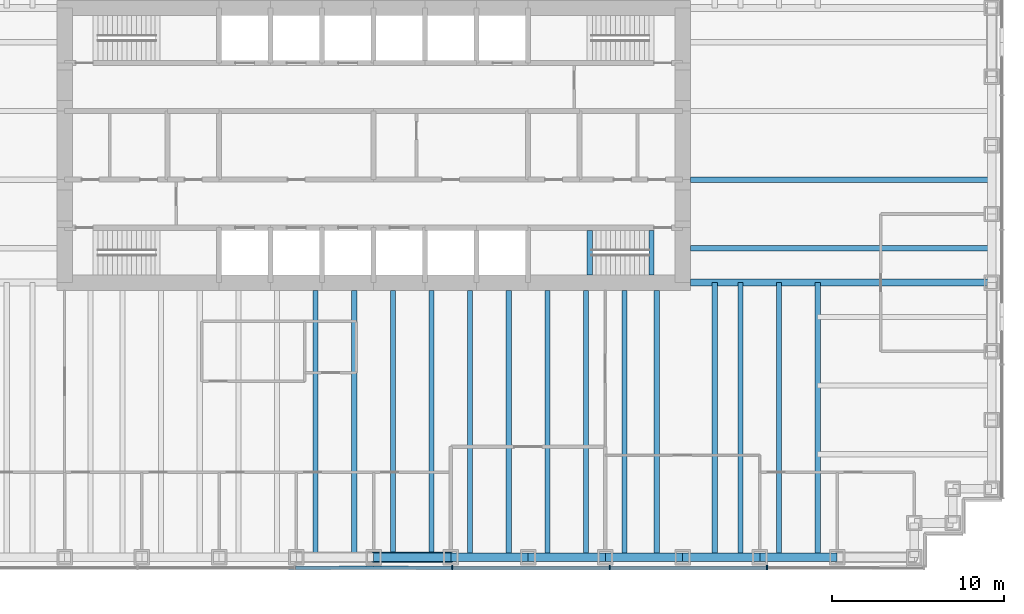
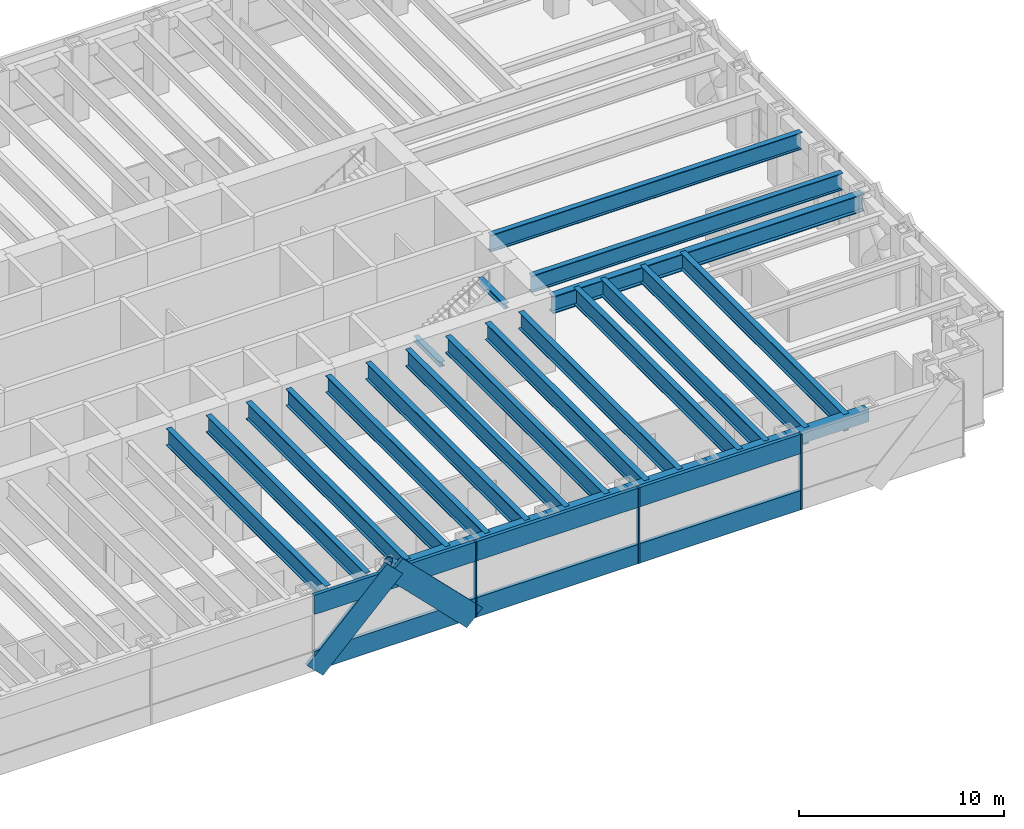
# One storey, part 3 of 13: 25 beams, 12 members, 1 element without a shape of its own.
"""IFC4 building model written with IfcOpenShell, lengths in metres."""

from ifc_helpers import new_model, si_unit, direction, frame, origin, origin_2d, place, context, subcontext, project, spatial, rectangle, hollow_rectangle, hollow_circle, i_section, extrude, material, material_profile, profile_set, type_object, element, aggregate, save


model = new_model("IFC4")

# Units and contexts
model_context = context("Model", 3, precision=1e-05, world=origin(), true_north=direction((0.0, 1.0)))
body_context = subcontext(model_context, "Body", "Model", "MODEL_VIEW")
ifc_project = project(units=[si_unit("LENGTHUNIT", "METRE"), si_unit("AREAUNIT", "SQUARE_METRE"), si_unit("VOLUMEUNIT", "CUBIC_METRE"), si_unit("PLANEANGLEUNIT", "RADIAN"), si_unit("MASSUNIT", "GRAM", prefix="KILO")], contexts=[model_context])

# Site, building, storey
site_placement = place(None, origin())
site = spatial("IfcSite", under=ifc_project, at=site_placement, CompositionType="ELEMENT")
building_placement = place(site_placement, origin())
building = spatial("IfcBuilding", under=site, at=building_placement, Name="Rheinbord Bourse Tower", CompositionType="ELEMENT")
storey_placement = place(building_placement, frame((0.0, 0.0, 90.5)))
storey = spatial("IfcBuildingStorey", under=building, at=storey_placement, Name="L19", CompositionType="ELEMENT", Elevation=90.5)

# Beams
ifc_material_1 = material(Name="Steel S460M", Category="steel")
ifc_material_profile_1 = material_profile(ifc_material_1, hollow_rectangle(XDim=0.5, YDim=0.699951171875, WallThickness=0.0400390625, at=origin_2d()), Name="BOX 700x500x40")
ifc_profile_set_1 = profile_set([ifc_material_profile_1], Name="Steel S460M")
beam_type_1 = type_object("IfcBeamType", Name="BELT CHORD BOX 700x500x40", PredefinedType="SPANDREL", material=ifc_profile_set_1)
for number, where, z_axis, x_axis, name in (
    (1, (36.0, 0.0, 3.89990234375), (1.0, 0.0, 0.0), (0.0, 1.0, 0.0), "Spandrel S-36-S-40.5 under L20"),
    (2, (40.5, 0.0, 3.89990234375), (1.0, 0.0, 0.0), (0.0, 1.0, 0.0), "Spandrel S-40.5-S-45 under L20"),
    (3, (45.0, 0.0, 3.89990234375), (1.0, 0.0, 0.0), (0.0, 1.0, 0.0), "Spandrel S-45-S-49.5 under L20"),
    (4, (49.5, 0.0, 3.89990234375), (1.0, 0.0, 0.0), (0.0, 1.0, 0.0), "Spandrel S-49.5-S-54 under L20"),
    (5, (54.0, 0.0, 3.89990234375), (1.0, 0.0, 0.0), (0.0, 1.0, 0.0), "Spandrel S-54-S-58.5 under L20"),
    (6, (58.5, 0.0, 3.89990234375), (1.0, 0.0, 0.0), (0.0, 1.0, 0.0), "Spandrel S-58.5-S-63 under L20"),
):
    element("IfcBeam", number, at=place(storey_placement, frame(where, z_axis=z_axis, x_axis=x_axis)), inside=storey, type_object=beam_type_1, Name=name, PredefinedType="SPANDREL", context=body_context, shape_type="SweptSolid", body=[
        extrude(hollow_rectangle(XDim=0.5, YDim=0.699951171875, WallThickness=0.0400390625, at=origin_2d()), origin(), (0.0, 0.0, 1.0), 4.5),
    ])

# Curtain wall, members
ifc_material_2 = material(Name="Dark glass and black aluminium", Category="aluminium")
curtain_wall_type = type_object("IfcCurtainWallType", Name="CW5 DARK GLASS CURTAIN WALL", PredefinedType="USERDEFINED", material=ifc_material_2)
curtain_wall_placement = place(storey_placement, origin())
curtain_wall = element("IfcCurtainWall", 7, at=curtain_wall_placement, inside=storey, type_object=curtain_wall_type, Name="Curtain wall CW5 S L19", ObjectType="UNITISED CURTAIN WALL", PredefinedType="USERDEFINED")
ifc_material_3 = material(Name="Black anodised aluminium", Category="aluminium")
ifc_material_profile_2 = material_profile(ifc_material_3, rectangle(XDim=0.199951171875, YDim=1.259033203125, at=origin_2d()), Name="CW5 DIAGONAL MULLION 1259x200")
ifc_profile_set_2 = profile_set([ifc_material_profile_2], Name="Black anodised aluminium")
member_type_1 = type_object("IfcMemberType", Name="CW5 BLACK DIAGONAL MULLION", PredefinedType="USERDEFINED", material=ifc_profile_set_2)
member_1_placement = place(storey_placement, frame((40.5, -0.60009765625, 0.0), z_axis=(-0.707106781187, 0.0, 0.707106781187), x_axis=(0.0, -1.0, 0.0)))
member_1 = element("IfcMember", 8, at=member_1_placement, type_object=member_type_1, Name="CW5 diagonal mullion a", ObjectType="DIAGONAL MULLION", PredefinedType="USERDEFINED", context=body_context, shape_type="SweptSolid", body=[
    extrude(rectangle(XDim=0.199951171875, YDim=1.259033203125, at=origin_2d()), origin(), (0.0, 0.0, 1.0), 6.364013671875),
])
member_2_placement = place(storey_placement, frame((31.5, -0.60009765625, 0.0), z_axis=(0.707106781187, 0.0, 0.707106781187), x_axis=(0.0, 1.0, 0.0)))
member_2 = element("IfcMember", 9, at=member_2_placement, type_object=member_type_1, Name="CW5 diagonal mullion b", ObjectType="DIAGONAL MULLION", PredefinedType="USERDEFINED", context=body_context, shape_type="SweptSolid", body=[
    extrude(rectangle(XDim=0.199951171875, YDim=1.259033203125, at=origin_2d()), origin(), (0.0, 0.0, 1.0), 6.364013671875),
])
ifc_material_4 = material(Name="Black anodised aluminium", Category="aluminium")
ifc_material_profile_3 = material_profile(ifc_material_4, rectangle(XDim=0.25, YDim=0.080078125, at=origin_2d()), Name="CW5 MULLION 80x250")
ifc_profile_set_3 = profile_set([ifc_material_profile_3], Name="Black anodised aluminium")
member_type_2 = type_object("IfcMemberType", Name="CW5 BLACK MULLION", PredefinedType="MULLION", material=ifc_profile_set_3)
member_3_placement = place(storey_placement, frame((40.585693359375, -0.60009765625, 0.0), z_axis=(0.0, 0.0, 1.0), x_axis=(0.0, 1.0, 0.0)))
member_3 = element("IfcMember", 10, at=member_3_placement, type_object=member_type_2, Name="CW5 mullion 5", PredefinedType="MULLION", context=body_context, shape_type="SweptSolid", body=[
    extrude(rectangle(XDim=0.25, YDim=0.080078125, at=origin_2d()), origin(), (0.0, 0.0, 1.0), 4.5),
])
member_4_placement = place(storey_placement, frame((49.757080078125, -0.60009765625, 0.0), z_axis=(0.0, 0.0, 1.0), x_axis=(0.0, 1.0, 0.0)))
member_4 = element("IfcMember", 11, at=member_4_placement, type_object=member_type_2, Name="CW5 mullion 6", PredefinedType="MULLION", context=body_context, shape_type="SweptSolid", body=[
    extrude(rectangle(XDim=0.25, YDim=0.080078125, at=origin_2d()), origin(), (0.0, 0.0, 1.0), 4.5),
])
member_5_placement = place(storey_placement, frame((58.928466796875, -0.60009765625, 0.0), z_axis=(0.0, 0.0, 1.0), x_axis=(0.0, 1.0, 0.0)))
member_5 = element("IfcMember", 12, at=member_5_placement, type_object=member_type_2, Name="CW5 mullion 7", PredefinedType="MULLION", context=body_context, shape_type="SweptSolid", body=[
    extrude(rectangle(XDim=0.25, YDim=0.080078125, at=origin_2d()), origin(), (0.0, 0.0, 1.0), 4.5),
])
ifc_material_5 = material(Name="Black anodised aluminium", Category="aluminium")
ifc_material_profile_4 = material_profile(ifc_material_5, rectangle(XDim=0.199951171875, YDim=1.14990234375, at=origin_2d()), Name="CW5 TRANSOM 1150x200")
ifc_profile_set_4 = profile_set([ifc_material_profile_4], Name="Black anodised aluminium")
member_type_3 = type_object("IfcMemberType", Name="CW5 BLACK TRANSOM", PredefinedType="USERDEFINED", material=ifc_profile_set_4)
member_6_placement = place(storey_placement, frame((31.454345703125, -0.60009765625, 0.574951171875), z_axis=(1.0, 0.0, 0.0), x_axis=(0.0, 1.0, 0.0)))
member_6 = element("IfcMember", 13, at=member_6_placement, type_object=member_type_3, Name="CW5 transom 4.1", ObjectType="TRANSOM", PredefinedType="USERDEFINED", context=body_context, shape_type="SweptSolid", body=[
    extrude(rectangle(XDim=0.199951171875, YDim=1.14990234375, at=origin_2d()), origin(), (0.0, 0.0, 1.0), 9.09130859375),
])
member_7_placement = place(storey_placement, frame((31.454345703125, -0.60009765625, 3.925048828125), z_axis=(1.0, 0.0, 0.0), x_axis=(0.0, 1.0, 0.0)))
member_7 = element("IfcMember", 14, at=member_7_placement, type_object=member_type_3, Name="CW5 transom 4.2", ObjectType="TRANSOM", PredefinedType="USERDEFINED", context=body_context, shape_type="SweptSolid", body=[
    extrude(rectangle(XDim=0.199951171875, YDim=1.14990234375, at=origin_2d()), origin(), (0.0, 0.0, 1.0), 9.09130859375),
])
member_8_placement = place(storey_placement, frame((40.625732421875, -0.60009765625, 0.574951171875), z_axis=(1.0, 0.0, 0.0), x_axis=(0.0, 1.0, 0.0)))
member_8 = element("IfcMember", 15, at=member_8_placement, type_object=member_type_3, Name="CW5 transom 5.1", ObjectType="TRANSOM", PredefinedType="USERDEFINED", context=body_context, shape_type="SweptSolid", body=[
    extrude(rectangle(XDim=0.199951171875, YDim=1.14990234375, at=origin_2d()), origin(), (0.0, 0.0, 1.0), 9.09130859375),
])
member_9_placement = place(storey_placement, frame((40.625732421875, -0.60009765625, 3.925048828125), z_axis=(1.0, 0.0, 0.0), x_axis=(0.0, 1.0, 0.0)))
member_9 = element("IfcMember", 16, at=member_9_placement, type_object=member_type_3, Name="CW5 transom 5.2", ObjectType="TRANSOM", PredefinedType="USERDEFINED", context=body_context, shape_type="SweptSolid", body=[
    extrude(rectangle(XDim=0.199951171875, YDim=1.14990234375, at=origin_2d()), origin(), (0.0, 0.0, 1.0), 9.09130859375),
])
member_10_placement = place(storey_placement, frame((49.797119140625, -0.60009765625, 0.574951171875), z_axis=(1.0, 0.0, 0.0), x_axis=(0.0, 1.0, 0.0)))
member_10 = element("IfcMember", 17, at=member_10_placement, type_object=member_type_3, Name="CW5 transom 6.1", ObjectType="TRANSOM", PredefinedType="USERDEFINED", context=body_context, shape_type="SweptSolid", body=[
    extrude(rectangle(XDim=0.199951171875, YDim=1.14990234375, at=origin_2d()), origin(), (0.0, 0.0, 1.0), 9.091552734375),
])
member_11_placement = place(storey_placement, frame((49.797119140625, -0.60009765625, 3.925048828125), z_axis=(1.0, 0.0, 0.0), x_axis=(0.0, 1.0, 0.0)))
member_11 = element("IfcMember", 18, at=member_11_placement, type_object=member_type_3, Name="CW5 transom 6.2", ObjectType="TRANSOM", PredefinedType="USERDEFINED", context=body_context, shape_type="SweptSolid", body=[
    extrude(rectangle(XDim=0.199951171875, YDim=1.14990234375, at=origin_2d()), origin(), (0.0, 0.0, 1.0), 9.091552734375),
])
aggregate(curtain_wall, [member_3, member_4, member_5, member_6, member_7, member_8, member_9, member_10, member_11, member_1, member_2])

# Beams
ifc_material_6 = material(Name="Steel S460", Category="steel")
ifc_material_profile_5 = material_profile(ifc_material_6, i_section(OverallWidth=0.302001953125, OverallDepth=1.008056640625, WebThickness=0.02099609375, FlangeThickness=0.0400390625, at=origin_2d()), Name="HEM 1000")
ifc_profile_set_5 = profile_set([ifc_material_profile_5], Name="Steel S460")
beam_type_2 = type_object("IfcBeamType", Name="END BEAM HEM 1000", PredefinedType="BEAM", material=ifc_profile_set_5)
for number, where, z_axis, x_axis, name in (
    (19, (54.449951171875, 18.0, 3.74609375), (1.0, 0.0, 0.0), (0.0, 1.0, 0.0), "End beam east 18 L20"),
    (20, (54.449951171875, 22.0, 3.74609375), (1.0, 0.0, 0.0), (0.0, 1.0, 0.0), "End beam east 22 L20"),
):
    element("IfcBeam", number, at=place(storey_placement, frame(where, z_axis=z_axis, x_axis=x_axis)), inside=storey, type_object=beam_type_2, Name=name, PredefinedType="BEAM", context=body_context, shape_type="SweptSolid", body=[
        extrude(i_section(OverallWidth=0.302001953125, OverallDepth=1.008056640625, WebThickness=0.02099609375, FlangeThickness=0.0400390625, at=origin_2d()), origin(), (0.0, 0.0, 1.0), 17.550048828125),
    ])
ifc_material_7 = material(Name="Steel S460", Category="steel")
ifc_material_profile_6 = material_profile(ifc_material_7, i_section(OverallWidth=0.302001953125, OverallDepth=1.008056640625, WebThickness=0.02099609375, FlangeThickness=0.0400390625, at=origin_2d()), Name="HEM 1000")
ifc_profile_set_6 = profile_set([ifc_material_profile_6], Name="Steel S460")
beam_type_3 = type_object("IfcBeamType", Name="FLOOR BEAM HEM 1000", PredefinedType="BEAM", material=ifc_profile_set_6)
for number, where, z_axis, x_axis, name in (
    (21, (32.625, 0.0, 3.74609375), (0.0, 1.0, 0.0), (-1.0, 0.0, 0.0), "Floor beam S-31.5a L20"),
    (22, (34.875, 0.0, 3.74609375), (0.0, 1.0, 0.0), (-1.0, 0.0, 0.0), "Floor beam S-31.5b L20"),
    (23, (37.125, 0.0, 3.74609375), (0.0, 1.0, 0.0), (-1.0, 0.0, 0.0), "Floor beam S-36a L20"),
    (24, (39.375, 0.0, 3.74609375), (0.0, 1.0, 0.0), (-1.0, 0.0, 0.0), "Floor beam S-36b L20"),
    (25, (41.625, 0.0, 3.74609375), (0.0, 1.0, 0.0), (-1.0, 0.0, 0.0), "Floor beam S-40.5a L20"),
    (26, (43.875, 0.0, 3.74609375), (0.0, 1.0, 0.0), (-1.0, 0.0, 0.0), "Floor beam S-40.5b L20"),
    (27, (46.125, 0.0, 3.74609375), (0.0, 1.0, 0.0), (-1.0, 0.0, 0.0), "Floor beam S-45a L20"),
    (28, (48.375, 0.0, 3.74609375), (0.0, 1.0, 0.0), (-1.0, 0.0, 0.0), "Floor beam S-45b L20"),
    (29, (50.625, 0.0, 3.74609375), (0.0, 1.0, 0.0), (-1.0, 0.0, 0.0), "Floor beam S-49.5a L20"),
    (30, (52.5, 0.0, 3.74609375), (0.0, 1.0, 0.0), (-1.0, 0.0, 0.0), "Floor beam S-49.5b L20"),
):
    element("IfcBeam", number, at=place(storey_placement, frame(where, z_axis=z_axis, x_axis=x_axis)), inside=storey, type_object=beam_type_3, Name=name, PredefinedType="BEAM", context=body_context, shape_type="SweptSolid", body=[
        extrude(i_section(OverallWidth=0.302001953125, OverallDepth=1.008056640625, WebThickness=0.02099609375, FlangeThickness=0.0400390625, at=origin_2d()), origin(), (0.0, 0.0, 1.0), 15.550048828125),
    ])
for number, where, z_axis, x_axis, name in (
    (31, (55.875, 0.0, 3.74609375), (0.0, 1.0, 0.0), (-1.0, 0.0, 0.0), "Floor beam S-54a L20"),
    (32, (57.375, 0.0, 3.74609375), (0.0, 1.0, 0.0), (-1.0, 0.0, 0.0), "Floor beam S-54b L20"),
    (33, (59.625, 0.0, 3.74609375), (0.0, 1.0, 0.0), (-1.0, 0.0, 0.0), "Floor beam S-58.5a L20"),
    (34, (61.875, 0.0, 3.74609375), (0.0, 1.0, 0.0), (-1.0, 0.0, 0.0), "Floor beam S-58.5b L20"),
):
    element("IfcBeam", number, at=place(storey_placement, frame(where, z_axis=z_axis, x_axis=x_axis)), inside=storey, type_object=beam_type_3, Name=name, PredefinedType="BEAM", context=body_context, shape_type="SweptSolid", body=[
        extrude(i_section(OverallWidth=0.302001953125, OverallDepth=1.008056640625, WebThickness=0.02099609375, FlangeThickness=0.0400390625, at=origin_2d()), origin(), (0.0, 0.0, 1.0), 16.0),
    ])
ifc_material_8 = material(Name="Steel S460", Category="steel")
ifc_material_profile_7 = material_profile(ifc_material_8, i_section(OverallWidth=0.404052734375, OverallDepth=1.02001953125, WebThickness=0.025390625, FlangeThickness=0.0458984375, at=origin_2d()), Name="HL 1000 x 483")
ifc_profile_set_7 = profile_set([ifc_material_profile_7], Name="Steel S460")
beam_type_4 = type_object("IfcBeamType", Name="GIRDER HL 1000 x 483", PredefinedType="BEAM", material=ifc_profile_set_7)
beam_placement = place(storey_placement, frame((54.449951171875, 16.0, 3.739990234375), z_axis=(1.0, 0.0, 0.0), x_axis=(0.0, 1.0, 0.0)))
element("IfcBeam", 35, at=beam_placement, inside=storey, type_object=beam_type_4, Name="Girder east 16 L20", PredefinedType="BEAM", context=body_context, shape_type="SweptSolid", body=[
    extrude(i_section(OverallWidth=0.404052734375, OverallDepth=1.02001953125, WebThickness=0.025390625, FlangeThickness=0.0458984375, at=origin_2d()), origin(), (0.0, 0.0, 1.0), 17.550048828125),
])
ifc_material_9 = material(Name="Steel S460", Category="steel")
ifc_material_profile_8 = material_profile(ifc_material_9, i_section(OverallWidth=0.300048828125, OverallDepth=0.300048828125, WebThickness=0.010986328125, FlangeThickness=0.01904296875, at=origin_2d()), Name="HEB 300")
ifc_profile_set_8 = profile_set([ifc_material_profile_8], Name="Steel S460")
beam_type_5 = type_object("IfcBeamType", Name="LANDING TRIMMER HEB 300", PredefinedType="BEAM", material=ifc_profile_set_8)
for number, where, z_axis, x_axis, name in (
    (36, (48.590087890625, 16.449951171875, 1.89990234375), (0.0, 1.0, 0.0), (-1.0, 0.0, 0.0), "Landing trimmer ST3 L19"),
    (37, (52.199951171875, 16.449951171875, 4.10009765625), (0.0, 1.0, 0.0), (-1.0, 0.0, 0.0), "Well trimmer ST3 under L20"),
):
    element("IfcBeam", number, at=place(storey_placement, frame(where, z_axis=z_axis, x_axis=x_axis)), inside=storey, type_object=beam_type_5, Name=name, PredefinedType="BEAM", context=body_context, shape_type="SweptSolid", body=[
        extrude(i_section(OverallWidth=0.300048828125, OverallDepth=0.300048828125, WebThickness=0.010986328125, FlangeThickness=0.01904296875, at=origin_2d()), origin(), (0.0, 0.0, 1.0), 2.60009765625),
    ])

# Member
ifc_material_10 = material(Name="Steel S460", Category="steel")
ifc_material_profile_9 = material_profile(ifc_material_10, hollow_circle(Radius=0.304931640625, WallThickness=0.050048828125, at=origin_2d()), Name="CHS 610x50")
ifc_profile_set_9 = profile_set([ifc_material_profile_9], Name="Steel S460")
member_type_4 = type_object("IfcMemberType", Name="MEGABRACE CHS 610x50", PredefinedType="BRACE", material=ifc_profile_set_9)
member_12_placement = place(storey_placement, frame((40.5, 0.0, 0.0), z_axis=(-0.707106781187, 0.0, 0.707106781187), x_axis=(0.0, -1.0, 0.0)))
element("IfcMember", 38, at=member_12_placement, inside=storey, type_object=member_type_4, Name="Megabrace S face line a L19", PredefinedType="BRACE", context=body_context, shape_type="SweptSolid", body=[
    extrude(hollow_circle(Radius=0.304931640625, WallThickness=0.050048828125, at=origin_2d()), origin(), (0.0, 0.0, 1.0), 6.364013671875),
])

save(model, "model.ifc")
